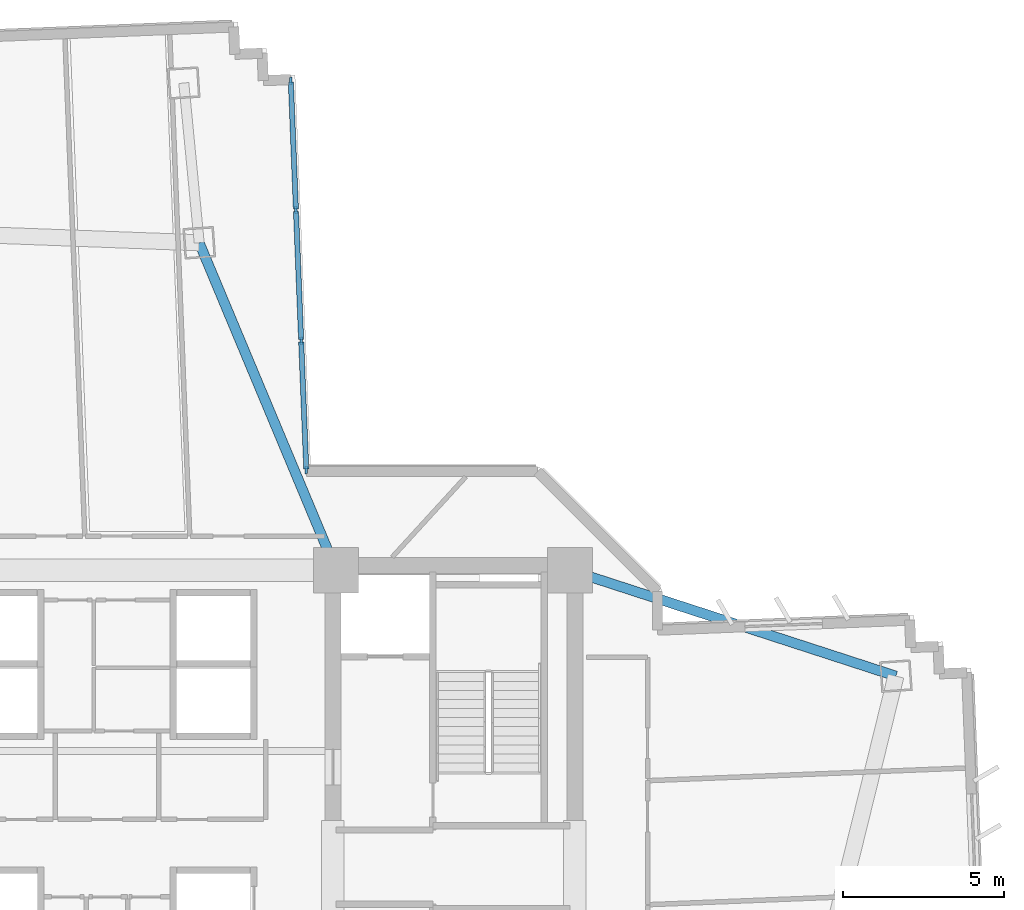
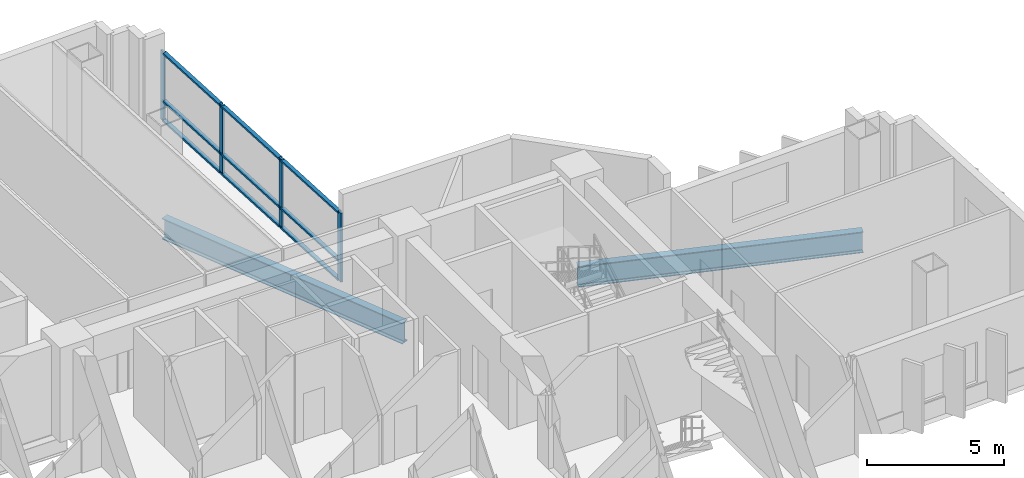
# One storey, part 4 of 16: 13 members, 2 beams, 1 element without a shape of its own.
"""IFC4 building model written with IfcOpenShell, lengths in metres."""

from ifc_helpers import new_model, si_unit, direction, frame, origin, origin_2d, place, context, subcontext, project, spatial, rectangle, i_section, extrude, source, transform, mapped, material, layer, layer_set, material_profile, profile_set, type_object, element, aggregate, save


model = new_model("IFC4")

# Units and contexts
model_context = context("Model", 3, precision=1e-05, world=origin(), true_north=direction((0.0, 1.0)))
body_context = subcontext(model_context, "Body", "Model", "MODEL_VIEW")
ifc_project = project(units=[si_unit("LENGTHUNIT", "METRE"), si_unit("AREAUNIT", "SQUARE_METRE"), si_unit("VOLUMEUNIT", "CUBIC_METRE"), si_unit("PLANEANGLEUNIT", "RADIAN"), si_unit("MASSUNIT", "GRAM", prefix="KILO")], contexts=[model_context])

# Site, building, storey
site_placement = place(None, origin())
site = spatial("IfcSite", under=ifc_project, at=site_placement, CompositionType="ELEMENT")
building_placement = place(site_placement, origin())
building = spatial("IfcBuilding", under=site, at=building_placement, Name="Zahravan Cultural Tower", CompositionType="ELEMENT")
storey_placement = place(building_placement, frame((0.0, 0.0, 62.699951171875)))
storey = spatial("IfcBuildingStorey", under=building, at=storey_placement, Name="L13", CompositionType="ELEMENT", Elevation=62.699951171875)

# Beams
ifc_material_1 = material(Name="Steel ASTM A992 Grade 50", Category="steel")
ifc_material_profile_1 = material_profile(ifc_material_1, i_section(OverallWidth=0.30908203125, OverallDepth=0.931884765625, WebThickness=0.02099609375, FlangeThickness=0.034423828125, FilletRadius=0.02392578125, at=origin_2d()), Name="W36X210")
ifc_profile_set_1 = profile_set([ifc_material_profile_1], Name="Steel ASTM A992 Grade 50")
beam_type = type_object("IfcBeamType", Name="BM-G-W36X210", PredefinedType="BEAM", material=ifc_profile_set_1)
shared_shape_1 = source(origin(), body_context, "Body", "SweptSolid", [
    extrude(i_section(OverallWidth=0.30908203125, OverallDepth=0.931884765625, WebThickness=0.02099609375, FlangeThickness=0.034423828125, FilletRadius=0.02392578125, at=origin_2d()), origin(), (0.0, 0.0, 1.0), 10.615966796875),
])
beam_1_placement = place(storey_placement, frame((50.35009765625, 36.199951171875, -0.716064453125), z_axis=(0.951063640083, -0.30899506875, 0.0), x_axis=(0.30899506875, 0.951063640083, 0.0)))
element("IfcBeam", 1, at=beam_1_placement, inside=storey, type_object=beam_type, Name="L13 Beam BG-L13-11", PredefinedType="BEAM", context=body_context, shape_type="MappedRepresentation", body=[
    mapped(shared_shape_1, transform((0.0, 0.0, 0.0), x_axis=(1.0, 0.0, 0.0), y_axis=(0.0, 1.0, 0.0), z_axis=(0.0, 0.0, 1.0), scale=1.0)),
])
shared_shape_2 = source(origin(), body_context, "Body", "SweptSolid", [
    extrude(i_section(OverallWidth=0.30908203125, OverallDepth=0.931884765625, WebThickness=0.02099609375, FlangeThickness=0.034423828125, FilletRadius=0.02392578125, at=origin_2d()), origin(), (0.0, 0.0, 1.0), 10.997802734375),
])
beam_2_placement = place(storey_placement, frame((43.10009765625, 36.199951171875, -0.716064453125), z_axis=(-0.385775211449, 0.922592806297, 0.0), x_axis=(-0.922592806297, -0.385775211449, 0.0)))
element("IfcBeam", 2, at=beam_2_placement, inside=storey, type_object=beam_type, Name="L13 Beam BG-L13-12", PredefinedType="BEAM", context=body_context, shape_type="MappedRepresentation", body=[
    mapped(shared_shape_2, transform((0.0, 0.0, 0.0), x_axis=(1.0, 0.0, 0.0), y_axis=(0.0, 1.0, 0.0), z_axis=(0.0, 0.0, 1.0), scale=1.0)),
])

# Curtain wall, members
ifc_material_2 = material(Name="Anodised bronze-aluminium mullion", Category="aluminium")
ifc_layer = layer(ifc_material_2, 0.219970703125)
ifc_layer_set = layer_set([ifc_layer], Name="Anodised bronze-aluminium mullion")
curtain_wall_type = type_object("IfcCurtainWallType", Name="CW-SYS-1", PredefinedType="USERDEFINED", material=ifc_layer_set)
curtain_wall_placement = place(storey_placement, origin())
curtain_wall = element("IfcCurtainWall", 3, at=curtain_wall_placement, inside=storey, type_object=curtain_wall_type, Name="L13 Recessed Curtain Wall CW-1.2", ObjectType="RECESSED GLAZING", PredefinedType="USERDEFINED")
ifc_material_profile_2 = material_profile(ifc_material_2, rectangle(XDim=0.080078125, YDim=0.219970703125, at=origin_2d()), Name="AL-M80X220")
ifc_profile_set_2 = profile_set([ifc_material_profile_2], Name="Anodised bronze-aluminium mullion")
member_type_1 = type_object("IfcMemberType", Name="CWM-CW-1", PredefinedType="MULLION", material=ifc_profile_set_2)
shared_shape_3 = source(origin(), body_context, "Body", "SweptSolid", [
    extrude(rectangle(XDim=0.080078125, YDim=0.219970703125, at=origin_2d()), origin(), (0.0, 0.0, 1.0), 3.070068359375),
])
member_1_placement = place(storey_placement, frame((41.6953125, 51.36572265625, 0.0), z_axis=(0.0, 0.0, 1.0), x_axis=(0.99920827504, 0.039784709273, 0.0)))
member_1 = element("IfcMember", 4, at=member_1_placement, type_object=member_type_1, Name="CW-1 mullion 1", PredefinedType="MULLION", context=body_context, shape_type="MappedRepresentation", body=[
    mapped(shared_shape_3, transform((0.0, 0.0, 0.0), x_axis=(1.0, 0.0, 0.0), y_axis=(0.0, 1.0, 0.0), z_axis=(0.0, 0.0, 1.0), scale=1.0)),
])
member_2_placement = place(storey_placement, frame((41.854736328125, 47.357177734375, 0.0), z_axis=(0.0, 0.0, 1.0), x_axis=(0.99920827504, 0.039784709273, 0.0)))
member_2 = element("IfcMember", 5, at=member_2_placement, type_object=member_type_1, Name="CW-1 mullion 2", PredefinedType="MULLION", context=body_context, shape_type="MappedRepresentation", body=[
    mapped(shared_shape_3, transform((0.0, 0.0, 0.0), x_axis=(1.0, 0.0, 0.0), y_axis=(0.0, 1.0, 0.0), z_axis=(0.0, 0.0, 1.0), scale=1.0)),
])
member_3_placement = place(storey_placement, frame((42.01611328125, 43.30859375, 0.0), z_axis=(0.0, 0.0, 1.0), x_axis=(0.99920827504, 0.039784709273, 0.0)))
member_3 = element("IfcMember", 6, at=member_3_placement, type_object=member_type_1, Name="CW-1 mullion 3", PredefinedType="MULLION", context=body_context, shape_type="MappedRepresentation", body=[
    mapped(shared_shape_3, transform((0.0, 0.0, 0.0), x_axis=(1.0, 0.0, 0.0), y_axis=(0.0, 1.0, 0.0), z_axis=(0.0, 0.0, 1.0), scale=1.0)),
])
member_4_placement = place(storey_placement, frame((42.175537109375, 39.300048828125, 0.0), z_axis=(0.0, 0.0, 1.0), x_axis=(0.99920827504, 0.039784709273, 0.0)))
member_4 = element("IfcMember", 7, at=member_4_placement, type_object=member_type_1, Name="CW-1 mullion 4", PredefinedType="MULLION", context=body_context, shape_type="MappedRepresentation", body=[
    mapped(shared_shape_3, transform((0.0, 0.0, 0.0), x_axis=(1.0, 0.0, 0.0), y_axis=(0.0, 1.0, 0.0), z_axis=(0.0, 0.0, 1.0), scale=1.0)),
])
ifc_material_profile_3 = material_profile(ifc_material_2, rectangle(XDim=0.159912109375, YDim=0.080078125, at=origin_2d()), Name="AL-T80X160")
ifc_profile_set_3 = profile_set([ifc_material_profile_3], Name="Anodised bronze-aluminium mullion")
member_type_2 = type_object("IfcMemberType", Name="CWT-CW-1", PredefinedType="USERDEFINED", material=ifc_profile_set_3)
shared_shape_4 = source(origin(), body_context, "Body", "SweptSolid", [
    extrude(rectangle(XDim=0.159912109375, YDim=0.080078125, at=origin_2d()), origin(), (0.0, 0.0, 1.0), 3.931884765625),
])
member_5_placement = place(storey_placement, frame((41.69677734375, 51.325927734375, 0.0400390625), z_axis=(0.039801893216, -0.999207590692, 0.0), x_axis=(0.999207590692, 0.039801893216, 0.0)))
member_5 = element("IfcMember", 8, at=member_5_placement, type_object=member_type_2, Name="CW-1 transom 1.1", ObjectType="TRANSOM", PredefinedType="USERDEFINED", context=body_context, shape_type="MappedRepresentation", body=[
    mapped(shared_shape_4, transform((0.0, 0.0, 0.0), x_axis=(1.0, 0.0, 0.0), y_axis=(0.0, 1.0, 0.0), z_axis=(0.0, 0.0, 1.0), scale=1.0)),
])
member_6_placement = place(storey_placement, frame((41.69677734375, 51.325927734375, 0.900146484375), z_axis=(0.039801893216, -0.999207590692, 0.0), x_axis=(0.999207590692, 0.039801893216, 0.0)))
member_6 = element("IfcMember", 9, at=member_6_placement, type_object=member_type_2, Name="CW-1 transom 1.2", ObjectType="TRANSOM", PredefinedType="USERDEFINED", context=body_context, shape_type="MappedRepresentation", body=[
    mapped(shared_shape_4, transform((0.0, 0.0, 0.0), x_axis=(1.0, 0.0, 0.0), y_axis=(0.0, 1.0, 0.0), z_axis=(0.0, 0.0, 1.0), scale=1.0)),
])
member_7_placement = place(storey_placement, frame((41.69677734375, 51.325927734375, 3.030029296875), z_axis=(0.039801893216, -0.999207590692, 0.0), x_axis=(0.999207590692, 0.039801893216, 0.0)))
member_7 = element("IfcMember", 10, at=member_7_placement, type_object=member_type_2, Name="CW-1 transom 1.3", ObjectType="TRANSOM", PredefinedType="USERDEFINED", context=body_context, shape_type="MappedRepresentation", body=[
    mapped(shared_shape_4, transform((0.0, 0.0, 0.0), x_axis=(1.0, 0.0, 0.0), y_axis=(0.0, 1.0, 0.0), z_axis=(0.0, 0.0, 1.0), scale=1.0)),
])
member_8_placement = place(storey_placement, frame((42.017578125, 43.2685546875, 0.0400390625), z_axis=(0.039801893216, -0.999207590692, 0.0), x_axis=(0.999207590692, 0.039801893216, 0.0)))
member_8 = element("IfcMember", 11, at=member_8_placement, type_object=member_type_2, Name="CW-1 transom 3.1", ObjectType="TRANSOM", PredefinedType="USERDEFINED", context=body_context, shape_type="MappedRepresentation", body=[
    mapped(shared_shape_4, transform((0.0, 0.0, 0.0), x_axis=(1.0, 0.0, 0.0), y_axis=(0.0, 1.0, 0.0), z_axis=(0.0, 0.0, 1.0), scale=1.0)),
])
member_9_placement = place(storey_placement, frame((42.017578125, 43.2685546875, 0.900146484375), z_axis=(0.039801893216, -0.999207590692, 0.0), x_axis=(0.999207590692, 0.039801893216, 0.0)))
member_9 = element("IfcMember", 12, at=member_9_placement, type_object=member_type_2, Name="CW-1 transom 3.2", ObjectType="TRANSOM", PredefinedType="USERDEFINED", context=body_context, shape_type="MappedRepresentation", body=[
    mapped(shared_shape_4, transform((0.0, 0.0, 0.0), x_axis=(1.0, 0.0, 0.0), y_axis=(0.0, 1.0, 0.0), z_axis=(0.0, 0.0, 1.0), scale=1.0)),
])
member_10_placement = place(storey_placement, frame((42.017578125, 43.2685546875, 3.030029296875), z_axis=(0.039801893216, -0.999207590692, 0.0), x_axis=(0.999207590692, 0.039801893216, 0.0)))
member_10 = element("IfcMember", 13, at=member_10_placement, type_object=member_type_2, Name="CW-1 transom 3.3", ObjectType="TRANSOM", PredefinedType="USERDEFINED", context=body_context, shape_type="MappedRepresentation", body=[
    mapped(shared_shape_4, transform((0.0, 0.0, 0.0), x_axis=(1.0, 0.0, 0.0), y_axis=(0.0, 1.0, 0.0), z_axis=(0.0, 0.0, 1.0), scale=1.0)),
])
shared_shape_5 = source(origin(), body_context, "Body", "SweptSolid", [
    extrude(rectangle(XDim=0.159912109375, YDim=0.080078125, at=origin_2d()), origin(), (0.0, 0.0, 1.0), 3.9716796875),
])
member_11_placement = place(storey_placement, frame((41.8564453125, 47.317138671875, 0.0400390625), z_axis=(0.03977164506, -0.999208795122, 0.0), x_axis=(0.999208795122, 0.03977164506, 0.0)))
member_11 = element("IfcMember", 14, at=member_11_placement, type_object=member_type_2, Name="CW-1 transom 2.1", ObjectType="TRANSOM", PredefinedType="USERDEFINED", context=body_context, shape_type="MappedRepresentation", body=[
    mapped(shared_shape_5, transform((0.0, 0.0, 0.0), x_axis=(1.0, 0.0, 0.0), y_axis=(0.0, 1.0, 0.0), z_axis=(0.0, 0.0, 1.0), scale=1.0)),
])
member_12_placement = place(storey_placement, frame((41.8564453125, 47.317138671875, 0.900146484375), z_axis=(0.03977164506, -0.999208795122, 0.0), x_axis=(0.999208795122, 0.03977164506, 0.0)))
member_12 = element("IfcMember", 15, at=member_12_placement, type_object=member_type_2, Name="CW-1 transom 2.2", ObjectType="TRANSOM", PredefinedType="USERDEFINED", context=body_context, shape_type="MappedRepresentation", body=[
    mapped(shared_shape_5, transform((0.0, 0.0, 0.0), x_axis=(1.0, 0.0, 0.0), y_axis=(0.0, 1.0, 0.0), z_axis=(0.0, 0.0, 1.0), scale=1.0)),
])
member_13_placement = place(storey_placement, frame((41.8564453125, 47.317138671875, 3.030029296875), z_axis=(0.03977164506, -0.999208795122, 0.0), x_axis=(0.999208795122, 0.03977164506, 0.0)))
member_13 = element("IfcMember", 16, at=member_13_placement, type_object=member_type_2, Name="CW-1 transom 2.3", ObjectType="TRANSOM", PredefinedType="USERDEFINED", context=body_context, shape_type="MappedRepresentation", body=[
    mapped(shared_shape_5, transform((0.0, 0.0, 0.0), x_axis=(1.0, 0.0, 0.0), y_axis=(0.0, 1.0, 0.0), z_axis=(0.0, 0.0, 1.0), scale=1.0)),
])
aggregate(curtain_wall, [member_1, member_2, member_3, member_4, member_5, member_6, member_7, member_11, member_12, member_13, member_8, member_9, member_10])

save(model, "model.ifc")
